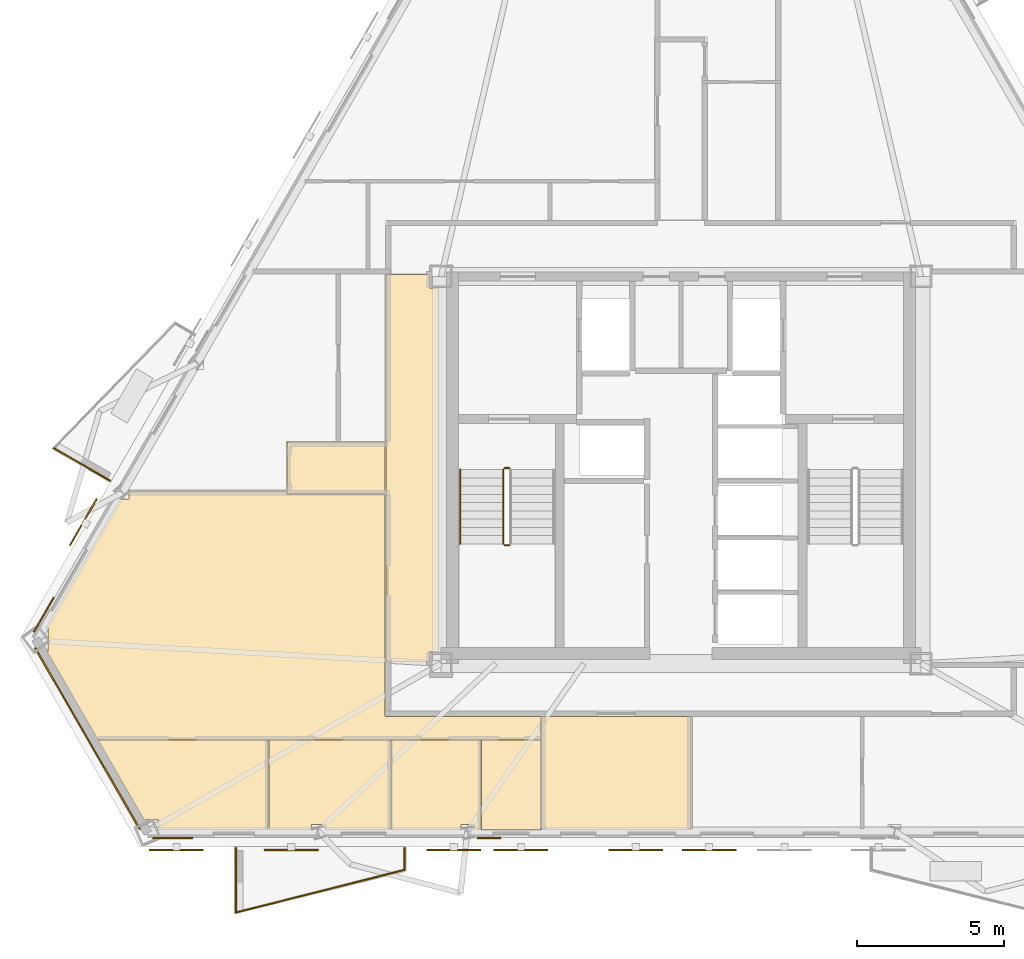
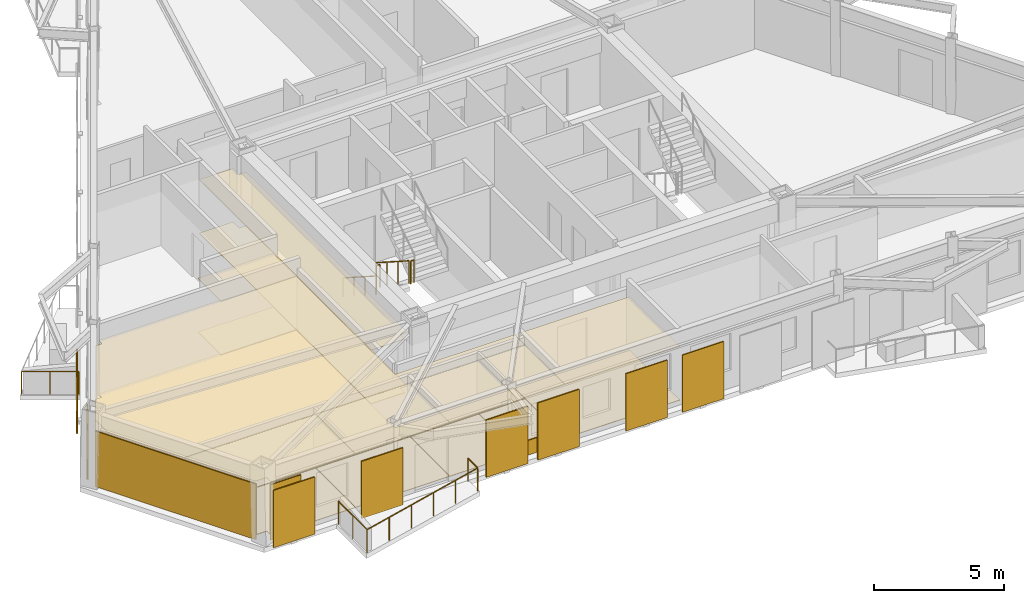
# One storey, part 6 of 8: 20 coverings, 8 railings, 7 shading devices.
"""IFC4 building model written with IfcOpenShell, lengths in metres."""

from ifc_helpers import new_model, si_unit, direction, frame, origin, origin_2d, place, context, subcontext, project, spatial, polyline, rectangle, circle, outline, extrude, material, layer, layer_set, type_object, element, save


model = new_model("IFC4")

# Units and contexts
model_context = context("Model", 3, precision=1e-05, world=origin(), true_north=direction((0.0, 1.0)))
body_context = subcontext(model_context, "Body", "Model", "MODEL_VIEW")
ifc_project = project(units=[si_unit("LENGTHUNIT", "METRE"), si_unit("AREAUNIT", "SQUARE_METRE"), si_unit("VOLUMEUNIT", "CUBIC_METRE"), si_unit("PLANEANGLEUNIT", "RADIAN"), si_unit("MASSUNIT", "GRAM", prefix="KILO")], contexts=[model_context])

# Site, building, storey
site_placement = place(None, origin())
site = spatial("IfcSite", under=ifc_project, at=site_placement, CompositionType="ELEMENT")
building_placement = place(site_placement, origin())
building = spatial("IfcBuilding", under=site, at=building_placement, Name="Oramaril Tower", CompositionType="ELEMENT")
storey_placement = place(building_placement, frame((0.0, 0.0, 193.800048828125)))
storey = spatial("IfcBuildingStorey", under=building, at=storey_placement, Name="L51", CompositionType="ELEMENT", Elevation=193.800048828125)

# Coverings
ifc_material_1 = material(Name="Mineral Fibre Acoustic Ceiling")
ifc_layer_1 = layer(ifc_material_1, 0.02001953125)
ifc_layer_set_1 = layer_set([ifc_layer_1], Name="CVT-CEIL")
covering_type_1 = type_object("IfcCoveringType", Name="CVT-CEIL", PredefinedType="CEILING", material=ifc_layer_set_1)
covering_1_placement = place(storey_placement, frame((0.0, 0.0, 2.511962890625)))
element("IfcCovering", 1, at=covering_1_placement, inside=storey, type_object=covering_type_1, Name="L51 Acoustic Suspended Ceiling 3", PredefinedType="CEILING", context=body_context, shape_type="SweptSolid", body=[
    extrude(outline(polyline([(28.955078125, 23.7548828125), (29.280029296875, 23.7548828125), (29.280029296875, 11.39501953125), (28.955078125, 11.39501953125), (28.955078125, 11.050048828125), (27.469970703125, 11.050048828125), (27.469970703125, 24.219970703125), (28.955078125, 24.219970703125), (28.955078125, 23.7548828125)])), origin(), (0.0, 0.0, 1.0), 0.02001953125),
])
covering_2_placement = place(storey_placement, frame((0.0, 0.0, 2.511962890625)))
element("IfcCovering", 2, at=covering_2_placement, inside=storey, type_object=covering_type_1, Name="L51 Acoustic Suspended Ceiling 5", PredefinedType="CEILING", context=body_context, shape_type="SweptSolid", body=[
    extrude(outline(polyline([(24.1201171875, 16.77001953125), (24.1201171875, 18.530029296875), (27.449951171875, 18.530029296875), (27.449951171875, 16.77001953125), (24.1201171875, 16.77001953125)])), origin(), (0.0, 0.0, 1.0), 0.02001953125),
])
covering_3_placement = place(storey_placement, frame((0.0, 0.0, 2.511962890625)))
element("IfcCovering", 3, at=covering_3_placement, inside=storey, type_object=covering_type_1, Name="L51 Acoustic Suspended Ceiling 6", PredefinedType="CEILING", context=body_context, shape_type="SweptSolid", body=[
    extrude(outline(polyline([(37.842041015625, 5.349609375), (32.758056640625, 5.349609375), (32.758056640625, 9.199951171875), (37.842041015625, 9.199951171875), (37.842041015625, 5.349609375)])), origin(), (0.0, 0.0, 1.0), 0.02001953125),
])
covering_4_placement = place(storey_placement, frame((0.0, 0.0, 2.511962890625)))
element("IfcCovering", 4, at=covering_4_placement, inside=storey, type_object=covering_type_1, Name="L51 Acoustic Suspended Ceiling 9", PredefinedType="CEILING", context=body_context, shape_type="SweptSolid", body=[
    extrude(outline(polyline([(17.672607421875, 8.419677734375), (15.947021484375, 11.40869140625), (15.989501953125, 11.40869140625), (15.989501953125, 12.208984375), (15.912109375, 12.208984375), (18.440185546875, 16.588134765625), (18.742431640625, 16.588134765625), (18.742431640625, 16.842041015625), (24.10009765625, 16.842041015625), (24.10009765625, 16.77001953125), (24.10009765625, 16.76806640625), (24.100341796875, 16.76611328125), (24.100830078125, 16.76416015625), (24.1015625, 16.76220703125), (24.102294921875, 16.760498046875), (24.103515625, 16.7587890625), (24.1044921875, 16.75732421875), (24.10595703125, 16.755859375), (24.107421875, 16.75439453125), (24.10888671875, 16.75341796875), (24.110595703125, 16.75244140625), (24.1123046875, 16.75146484375), (24.1142578125, 16.7509765625), (24.1162109375, 16.75048828125), (24.117919921875, 16.75), (24.1201171875, 16.75), (27.449951171875, 16.75), (27.449951171875, 11.050048828125), (27.4501953125, 11.048095703125), (27.450439453125, 11.046142578125), (27.450927734375, 11.044189453125), (27.451416015625, 11.042236328125), (27.452392578125, 11.04052734375), (27.45263671875, 11.0400390625), (27.452392578125, 11.039306640625), (27.451416015625, 11.03759765625), (27.450927734375, 11.035888671875), (27.450439453125, 11.033935546875), (27.4501953125, 11.031982421875), (27.449951171875, 11.030029296875), (27.449951171875, 9.219970703125), (27.4501953125, 9.218017578125), (27.450439453125, 9.216064453125), (27.450927734375, 9.214111328125), (27.451416015625, 9.21240234375), (27.452392578125, 9.210693359375), (27.453369140625, 9.208984375), (27.45458984375, 9.207275390625), (27.455810546875, 9.205810546875), (27.457275390625, 9.20458984375), (27.458984375, 9.203369140625), (27.460693359375, 9.202392578125), (27.46240234375, 9.201416015625), (27.464111328125, 9.200927734375), (27.466064453125, 9.200439453125), (27.468017578125, 9.2001953125), (27.469970703125, 9.199951171875), (32.738037109375, 9.199951171875), (32.738037109375, 8.419677734375), (17.672607421875, 8.419677734375)])), origin(), (0.0, 0.0, 1.0), 0.02001953125),
])
covering_5_placement = place(storey_placement, frame((0.0, 0.0, 2.511962890625)))
element("IfcCovering", 5, at=covering_5_placement, inside=storey, type_object=covering_type_1, Name="L51 Acoustic Suspended Ceiling 10", PredefinedType="CEILING", context=body_context, shape_type="SweptSolid", body=[
    extrude(outline(polyline([(23.47314453125, 5.349609375), (19.752685546875, 5.349609375), (19.752685546875, 5.681396484375), (19.25341796875, 5.681396484375), (17.68408203125, 8.399658203125), (23.47314453125, 8.399658203125), (23.47314453125, 5.349609375)])), origin(), (0.0, 0.0, 1.0), 0.02001953125),
])
covering_6_placement = place(storey_placement, frame((0.0, 0.0, 2.511962890625)))
element("IfcCovering", 6, at=covering_6_placement, inside=storey, type_object=covering_type_1, Name="L51 Acoustic Suspended Ceiling 11", PredefinedType="CEILING", context=body_context, shape_type="SweptSolid", body=[
    extrude(outline(polyline([(27.647216796875, 5.349609375), (25.399658203125, 5.349609375), (25.399658203125, 5.531005859375), (24.940673828125, 5.531005859375), (24.940673828125, 5.349609375), (23.4931640625, 5.349609375), (23.4931640625, 8.399658203125), (27.647216796875, 8.399658203125), (27.647216796875, 5.349609375)])), origin(), (0.0, 0.0, 1.0), 0.02001953125),
])
covering_7_placement = place(storey_placement, frame((0.0, 0.0, 2.511962890625)))
element("IfcCovering", 7, at=covering_7_placement, inside=storey, type_object=covering_type_1, Name="L51 Acoustic Suspended Ceiling 12", PredefinedType="CEILING", context=body_context, shape_type="SweptSolid", body=[
    extrude(outline(polyline([(30.697265625, 5.349609375), (30.47265625, 5.349609375), (30.47265625, 5.531005859375), (30.021728515625, 5.531005859375), (30.021728515625, 5.349609375), (27.667236328125, 5.349609375), (27.667236328125, 8.399658203125), (30.697265625, 8.399658203125), (30.697265625, 5.349609375)])), origin(), (0.0, 0.0, 1.0), 0.02001953125),
])
covering_8_placement = place(storey_placement, frame((0.0, 0.0, 2.511962890625)))
element("IfcCovering", 8, at=covering_8_placement, inside=storey, type_object=covering_type_1, Name="L51 Acoustic Suspended Ceiling 13", PredefinedType="CEILING", context=body_context, shape_type="SweptSolid", body=[
    extrude(outline(polyline([(30.71728515625, 5.349609375), (30.71728515625, 8.399658203125), (32.738037109375, 8.399658203125), (32.738037109375, 5.349609375), (30.71728515625, 5.349609375)])), origin(), (0.0, 0.0, 1.0), 0.02001953125),
])
ifc_material_2 = material(Name="Warm Cream Limestone", Category="masonry")
ifc_layer_2 = layer(ifc_material_2, 0.050048828125)
ifc_layer_set_2 = layer_set([ifc_layer_2], Name="CVT-CLD")
covering_type_2 = type_object("IfcCoveringType", Name="CVT-CLD", PredefinedType="CLADDING", material=ifc_layer_set_2)
covering_9_placement = place(storey_placement, frame((17.332763671875, 8.456298828125, 0.0400390625), z_axis=(0.0, 0.0, 1.0), x_axis=(0.4999984885, -0.866026276448, 0.0)))
element("IfcCovering", 9, at=covering_9_placement, inside=storey, type_object=covering_type_2, Name="L51 Warm Cream Limestone Cladding", PredefinedType="CLADDING", context=body_context, shape_type="SweptSolid", body=[
    extrude(rectangle(XDim=7.117919921875, YDim=0.050048828125, at=origin_2d()), origin(), (0.0, 0.0, 1.0), 2.596923828125),
])
covering_10_placement = place(storey_placement, frame((20.232666015625, 5.07373046875, 0.0400390625), z_axis=(0.0, 0.0, 1.0), x_axis=(1.0, 0.0, 0.0)))
element("IfcCovering", 10, at=covering_10_placement, inside=storey, type_object=covering_type_2, Name="L51 Warm Cream Limestone Cladding", PredefinedType="CLADDING", context=body_context, shape_type="SweptSolid", body=[
    extrude(rectangle(XDim=1.35009765625, YDim=0.050048828125, at=origin_2d()), origin(), (0.0, 0.0, 1.0), 2.596923828125),
])
covering_11_placement = place(storey_placement, frame((30.977783203125, 5.07373046875, 0.0400390625), z_axis=(0.0, 0.0, 1.0), x_axis=(1.0, 0.0, 0.0)))
element("IfcCovering", 11, at=covering_11_placement, inside=storey, type_object=covering_type_2, Name="L51 Warm Cream Limestone Spandrel Cladding", PredefinedType="CLADDING", context=body_context, shape_type="SweptSolid", body=[
    extrude(rectangle(XDim=0.800048828125, YDim=0.050048828125, at=origin_2d()), origin(), (0.0, 0.0, 1.0), 0.679931640625),
])
covering_12_placement = place(storey_placement, frame((15.853271484375, 12.6591796875, 0.0400390625), z_axis=(0.0, 0.0, 1.0), x_axis=(-0.5, -0.866025403784, 0.0)))
element("IfcCovering", 12, at=covering_12_placement, inside=storey, type_object=covering_type_2, Name="L51 Warm Cream Limestone Cladding", PredefinedType="CLADDING", context=body_context, shape_type="SweptSolid", body=[
    extrude(rectangle(XDim=1.35009765625, YDim=0.050048828125, at=origin_2d()), origin(), (0.0, 0.0, 1.0), 2.596923828125),
])
ifc_material_3 = material(Name="Honed Quartzite Stone Flooring", Category="masonry")
ifc_layer_3 = layer(ifc_material_3, 0.02490234375)
ifc_layer_set_3 = layer_set([ifc_layer_3], Name="CVT-FLR")
covering_type_3 = type_object("IfcCoveringType", Name="CVT-FLR", PredefinedType="FLOORING", material=ifc_layer_set_3)
covering_13_placement = place(storey_placement, origin())
element("IfcCovering", 13, at=covering_13_placement, inside=storey, type_object=covering_type_3, Name="L51 Honed Stone Floor Finish 3", PredefinedType="FLOORING", context=body_context, shape_type="SweptSolid", body=[
    extrude(outline(polyline([(28.955078125, 23.7548828125), (29.280029296875, 23.7548828125), (29.280029296875, 11.39501953125), (28.955078125, 11.39501953125), (28.955078125, 11.050048828125), (27.469970703125, 11.050048828125), (27.469970703125, 24.219970703125), (28.955078125, 24.219970703125), (28.955078125, 23.7548828125)])), origin(), (0.0, 0.0, 1.0), 0.02490234375),
])
covering_14_placement = place(storey_placement, origin())
element("IfcCovering", 14, at=covering_14_placement, inside=storey, type_object=covering_type_3, Name="L51 Honed Stone Floor Finish 5", PredefinedType="FLOORING", context=body_context, shape_type="SweptSolid", body=[
    extrude(outline(polyline([(24.1201171875, 16.77001953125), (24.1201171875, 18.530029296875), (27.449951171875, 18.530029296875), (27.449951171875, 16.77001953125), (24.1201171875, 16.77001953125)])), origin(), (0.0, 0.0, 1.0), 0.02490234375),
])
covering_15_placement = place(storey_placement, origin())
element("IfcCovering", 15, at=covering_15_placement, inside=storey, type_object=covering_type_3, Name="L51 Honed Stone Floor Finish 6", PredefinedType="FLOORING", context=body_context, shape_type="SweptSolid", body=[
    extrude(outline(polyline([(37.842041015625, 5.349609375), (32.758056640625, 5.349609375), (32.758056640625, 9.199951171875), (37.842041015625, 9.199951171875), (37.842041015625, 5.349609375)])), origin(), (0.0, 0.0, 1.0), 0.02490234375),
])
covering_16_placement = place(storey_placement, origin())
element("IfcCovering", 16, at=covering_16_placement, inside=storey, type_object=covering_type_3, Name="L51 Honed Stone Floor Finish 9", PredefinedType="FLOORING", context=body_context, shape_type="SweptSolid", body=[
    extrude(outline(polyline([(17.672607421875, 8.419677734375), (15.947021484375, 11.40869140625), (15.989501953125, 11.40869140625), (15.989501953125, 12.208984375), (15.912109375, 12.208984375), (18.440185546875, 16.588134765625), (18.742431640625, 16.588134765625), (18.742431640625, 16.842041015625), (24.10009765625, 16.842041015625), (24.10009765625, 16.77001953125), (24.10009765625, 16.76806640625), (24.100341796875, 16.76611328125), (24.100830078125, 16.76416015625), (24.1015625, 16.76220703125), (24.102294921875, 16.760498046875), (24.103515625, 16.7587890625), (24.1044921875, 16.75732421875), (24.10595703125, 16.755859375), (24.107421875, 16.75439453125), (24.10888671875, 16.75341796875), (24.110595703125, 16.75244140625), (24.1123046875, 16.75146484375), (24.1142578125, 16.7509765625), (24.1162109375, 16.75048828125), (24.117919921875, 16.75), (24.1201171875, 16.75), (27.449951171875, 16.75), (27.449951171875, 11.050048828125), (27.4501953125, 11.048095703125), (27.450439453125, 11.046142578125), (27.450927734375, 11.044189453125), (27.451416015625, 11.042236328125), (27.452392578125, 11.04052734375), (27.45263671875, 11.0400390625), (27.452392578125, 11.039306640625), (27.451416015625, 11.03759765625), (27.450927734375, 11.035888671875), (27.450439453125, 11.033935546875), (27.4501953125, 11.031982421875), (27.449951171875, 11.030029296875), (27.449951171875, 9.219970703125), (27.4501953125, 9.218017578125), (27.450439453125, 9.216064453125), (27.450927734375, 9.214111328125), (27.451416015625, 9.21240234375), (27.452392578125, 9.210693359375), (27.453369140625, 9.208984375), (27.45458984375, 9.207275390625), (27.455810546875, 9.205810546875), (27.457275390625, 9.20458984375), (27.458984375, 9.203369140625), (27.460693359375, 9.202392578125), (27.46240234375, 9.201416015625), (27.464111328125, 9.200927734375), (27.466064453125, 9.200439453125), (27.468017578125, 9.2001953125), (27.469970703125, 9.199951171875), (32.738037109375, 9.199951171875), (32.738037109375, 8.419677734375), (17.672607421875, 8.419677734375)])), origin(), (0.0, 0.0, 1.0), 0.02490234375),
])
covering_17_placement = place(storey_placement, origin())
element("IfcCovering", 17, at=covering_17_placement, inside=storey, type_object=covering_type_3, Name="L51 Honed Stone Floor Finish 10", PredefinedType="FLOORING", context=body_context, shape_type="SweptSolid", body=[
    extrude(outline(polyline([(23.47314453125, 5.349609375), (19.752685546875, 5.349609375), (19.752685546875, 5.681396484375), (19.25341796875, 5.681396484375), (17.68408203125, 8.399658203125), (23.47314453125, 8.399658203125), (23.47314453125, 5.349609375)])), origin(), (0.0, 0.0, 1.0), 0.02490234375),
])
covering_18_placement = place(storey_placement, origin())
element("IfcCovering", 18, at=covering_18_placement, inside=storey, type_object=covering_type_3, Name="L51 Honed Stone Floor Finish 11", PredefinedType="FLOORING", context=body_context, shape_type="SweptSolid", body=[
    extrude(outline(polyline([(27.647216796875, 5.349609375), (25.399658203125, 5.349609375), (25.399658203125, 5.531005859375), (24.940673828125, 5.531005859375), (24.940673828125, 5.349609375), (23.4931640625, 5.349609375), (23.4931640625, 8.399658203125), (27.647216796875, 8.399658203125), (27.647216796875, 5.349609375)])), origin(), (0.0, 0.0, 1.0), 0.02490234375),
])
covering_19_placement = place(storey_placement, origin())
element("IfcCovering", 19, at=covering_19_placement, inside=storey, type_object=covering_type_3, Name="L51 Honed Stone Floor Finish 12", PredefinedType="FLOORING", context=body_context, shape_type="SweptSolid", body=[
    extrude(outline(polyline([(30.697265625, 5.349609375), (30.47265625, 5.349609375), (30.47265625, 5.531005859375), (30.021728515625, 5.531005859375), (30.021728515625, 5.349609375), (27.667236328125, 5.349609375), (27.667236328125, 8.399658203125), (30.697265625, 8.399658203125), (30.697265625, 5.349609375)])), origin(), (0.0, 0.0, 1.0), 0.02490234375),
])
covering_20_placement = place(storey_placement, origin())
element("IfcCovering", 20, at=covering_20_placement, inside=storey, type_object=covering_type_3, Name="L51 Honed Stone Floor Finish 13", PredefinedType="FLOORING", context=body_context, shape_type="SweptSolid", body=[
    extrude(outline(polyline([(30.71728515625, 5.349609375), (30.71728515625, 8.399658203125), (32.738037109375, 8.399658203125), (32.738037109375, 5.349609375), (30.71728515625, 5.349609375)])), origin(), (0.0, 0.0, 1.0), 0.02490234375),
])

# Railings
ifc_material_4 = material(Name="Stainless Steel 316L", Category="steel")
railing_type_1 = type_object("IfcRailingType", Name="RLT-GRD", PredefinedType="GUARDRAIL", material=ifc_material_4)
railing_1_placement = place(storey_placement, frame((28.107177734375, 4.733642578125, 0.0)))
element("IfcRailing", 21, at=railing_1_placement, inside=storey, type_object=railing_type_1, Name="L51 Balcony Guardrail L51-BAL-S1.1", PredefinedType="GUARDRAIL", context=body_context, shape_type="SweptSolid", body=[
    extrude(circle(Radius=0.02392578125, at=origin_2d()), frame((0.0, 0.0, 1.076171875), z_axis=(0.0, -1.0, 0.0), x_axis=(1.0, 0.0, 0.0)), (0.0, 0.0, 1.0), 0.741943359375),
    extrude(circle(Radius=0.02099609375, at=origin_2d()), origin(), (0.0, 0.0, 1.0), 1.052001953125),
    extrude(circle(Radius=0.02099609375, at=origin_2d()), frame((0.0, -0.741943359375, 0.0)), (0.0, 0.0, 1.0), 1.052001953125),
])
railing_2_placement = place(storey_placement, frame((28.107177734375, 3.99169921875, 0.0)))
element("IfcRailing", 22, at=railing_2_placement, inside=storey, type_object=railing_type_1, Name="L51 Balcony Guardrail L51-BAL-S1.2", PredefinedType="GUARDRAIL", context=body_context, shape_type="SweptSolid", body=[
    extrude(circle(Radius=0.02392578125, at=origin_2d()), frame((0.0, 0.0, 1.076171875), z_axis=(-0.969443611257, -0.245314256807, 0.0), x_axis=(0.245314256807, -0.969443611257, 0.0)), (0.0, 0.0, 1.0), 5.91064453125),
    extrude(circle(Radius=0.02099609375, at=origin_2d()), origin(), (0.0, 0.0, 1.0), 1.052001953125),
    extrude(circle(Radius=0.02099609375, at=origin_2d()), frame((-1.14599609375, -0.2900390625, 0.0)), (0.0, 0.0, 1.0), 1.052001953125),
    extrude(circle(Radius=0.02099609375, at=origin_2d()), frame((-2.2919921875, -0.580078125, 0.0)), (0.0, 0.0, 1.0), 1.052001953125),
    extrude(circle(Radius=0.02099609375, at=origin_2d()), frame((-3.43798828125, -0.869873046875, 0.0)), (0.0, 0.0, 1.0), 1.052001953125),
    extrude(circle(Radius=0.02099609375, at=origin_2d()), frame((-4.583984375, -1.159912109375, 0.0)), (0.0, 0.0, 1.0), 1.052001953125),
    extrude(circle(Radius=0.02099609375, at=origin_2d()), frame((-5.72998046875, -1.449951171875, 0.0)), (0.0, 0.0, 1.0), 1.052001953125),
])
railing_3_placement = place(storey_placement, frame((22.377197265625, 2.541748046875, 0.0)))
element("IfcRailing", 23, at=railing_3_placement, inside=storey, type_object=railing_type_1, Name="L51 Balcony Guardrail L51-BAL-S1.3", PredefinedType="GUARDRAIL", context=body_context, shape_type="SweptSolid", body=[
    extrude(circle(Radius=0.02392578125, at=origin_2d()), frame((0.0, 0.0, 1.076171875), z_axis=(0.0, 1.0, 0.0), x_axis=(-1.0, 0.0, 0.0)), (0.0, 0.0, 1.0), 2.19189453125),
    extrude(circle(Radius=0.02099609375, at=origin_2d()), origin(), (0.0, 0.0, 1.0), 1.052001953125),
    extrude(circle(Radius=0.02099609375, at=origin_2d()), frame((0.0, 1.095947265625, 0.0)), (0.0, 0.0, 1.0), 1.052001953125),
    extrude(circle(Radius=0.02099609375, at=origin_2d()), frame((0.0, 2.19189453125, 0.0)), (0.0, 0.0, 1.0), 1.052001953125),
])
railing_4_placement = place(storey_placement, frame((18.093505859375, 17.219482421875, 0.0)))
element("IfcRailing", 24, at=railing_4_placement, inside=storey, type_object=railing_type_1, Name="L51 Balcony Guardrail L51-BAL-NW2.1", PredefinedType="GUARDRAIL", context=body_context, shape_type="SweptSolid", body=[
    extrude(circle(Radius=0.02392578125, at=origin_2d()), frame((0.0, 0.0, 1.076171875), z_axis=(-0.866048343933, 0.499960264392, 0.0), x_axis=(-0.499960264392, -0.866048343933, 0.0)), (0.0, 0.0, 1.0), 2.192138671875),
    extrude(circle(Radius=0.02099609375, at=origin_2d()), origin(), (0.0, 0.0, 1.0), 1.052001953125),
    extrude(circle(Radius=0.02099609375, at=origin_2d()), frame((-0.94921875, 0.5478515625, 0.0)), (0.0, 0.0, 1.0), 1.052001953125),
    extrude(circle(Radius=0.02099609375, at=origin_2d()), frame((-1.8984375, 1.095947265625, 0.0)), (0.0, 0.0, 1.0), 1.052001953125),
])
railing_5_placement = place(storey_placement, frame((31.4599609375, 17.590087890625, 0.179931640625)))
element("IfcRailing", 25, at=railing_5_placement, inside=storey, type_object=railing_type_1, Name="L51 ST-1 stair guard 1", PredefinedType="GUARDRAIL", context=body_context, shape_type="SweptSolid", body=[
    extrude(circle(Radius=0.02392578125, at=origin_2d()), frame((0.0, 0.0, 1.076171875), z_axis=(0.0, -0.841162588446, 0.540782303519), x_axis=(1.0, 0.0, 0.0)), (0.0, 0.0, 1.0), 2.995849609375),
    extrude(circle(Radius=0.02099609375, at=origin_2d()), origin(), (0.0, 0.0, 1.0), 1.052001953125),
    extrude(circle(Radius=0.02099609375, at=origin_2d()), frame((0.0, -0.840087890625, 0.5400390625)), (0.0, 0.0, 1.0), 1.052001953125),
    extrude(circle(Radius=0.02099609375, at=origin_2d()), frame((0.0, -1.679931640625, 1.080078125)), (0.0, 0.0, 1.0), 1.052001953125),
    extrude(circle(Radius=0.02099609375, at=origin_2d()), frame((0.0, -2.52001953125, 1.6201171875)), (0.0, 0.0, 1.0), 1.052001953125),
])
for number, where, name in (
    (26, (31.510009765625, 15.02001953125, 1.800048828125), "L51 ST-1 stair guard 2"),
    (27, (31.510009765625, 17.639892578125, 0.0), "L51 ST-1 stair guard 4"),
):
    element("IfcRailing", number, at=place(storey_placement, frame(where)), inside=storey, type_object=railing_type_1, Name=name, PredefinedType="GUARDRAIL", context=body_context, shape_type="SweptSolid", body=[
        extrude(circle(Radius=0.02392578125, at=origin_2d()), frame((0.0, 0.0, 1.076171875), z_axis=(1.0, 0.0, 0.0), x_axis=(0.0, 1.0, 0.0)), (0.0, 0.0, 1.0), 0.14990234375),
        extrude(circle(Radius=0.02099609375, at=origin_2d()), origin(), (0.0, 0.0, 1.0), 1.052001953125),
        extrude(circle(Radius=0.02099609375, at=origin_2d()), frame((0.14990234375, 0.0, 0.0)), (0.0, 0.0, 1.0), 1.052001953125),
    ])
ifc_material_5 = material(Name="Stainless Steel 316L", Category="steel")
railing_type_2 = type_object("IfcRailingType", Name="RLT-HND", PredefinedType="HANDRAIL", material=ifc_material_5)
railing_6_placement = place(storey_placement, frame((30.0, 17.590087890625, 0.179931640625)))
element("IfcRailing", 28, at=railing_6_placement, inside=storey, type_object=railing_type_2, Name="L51 ST-1 stair handrail 1", PredefinedType="HANDRAIL", context=body_context, shape_type="SweptSolid", body=[
    extrude(circle(Radius=0.02392578125, at=origin_2d()), frame((0.0, 0.0, 0.8759765625), z_axis=(0.0, -0.841162588446, 0.540782303519), x_axis=(1.0, 0.0, 0.0)), (0.0, 0.0, 1.0), 2.995849609375),
    extrude(circle(Radius=0.02099609375, at=origin_2d()), origin(), (0.0, 0.0, 1.0), 0.851806640625),
    extrude(circle(Radius=0.02099609375, at=origin_2d()), frame((0.0, -0.840087890625, 0.5400390625)), (0.0, 0.0, 1.0), 0.851806640625),
    extrude(circle(Radius=0.02099609375, at=origin_2d()), frame((0.0, -1.679931640625, 1.080078125)), (0.0, 0.0, 1.0), 0.851806640625),
    extrude(circle(Radius=0.02099609375, at=origin_2d()), frame((0.0, -2.52001953125, 1.6201171875)), (0.0, 0.0, 1.0), 0.851806640625),
])

# Shading devices
for number, where, z_axis, x_axis, name in (
    (29, (32.0595703125, 4.66162109375, -0.02001953125), (0.0, 0.0, 1.0), (1.0, 0.0, 0.0), "L51 Perforated Ceramic Solar Screen"),
    (30, (35.959716796875, 4.66162109375, -0.02001953125), (0.0, 0.0, 1.0), (1.0, 0.0, 0.0), "L51 Perforated Ceramic Solar Screen"),
    (31, (38.455078125, 4.66162109375, -0.02001953125), (0.0, 0.0, 1.0), (1.0, 0.0, 0.0), "L51 Perforated Ceramic Solar Screen"),
    (32, (20.35791015625, 4.66162109375, -0.02001953125), (0.0, 0.0, 1.0), (1.0, 0.0, 0.0), "L51 Perforated Ceramic Solar Screen"),
    (33, (24.258056640625, 4.66162109375, -0.02001953125), (0.0, 0.0, 1.0), (1.0, 0.0, 0.0), "L51 Perforated Ceramic Solar Screen"),
    (34, (29.777587890625, 4.66162109375, -0.02001953125), (0.0, 0.0, 1.0), (1.0, 0.0, 0.0), "L51 Perforated Ceramic Solar Screen"),
    (35, (17.194091796875, 15.8056640625, -0.02001953125), (0.0, 0.0, 1.0), (-0.5, -0.866025403784, 0.0), "L51 Perforated Ceramic Solar Screen"),
):
    element("IfcShadingDevice", number, at=place(storey_placement, frame(where, z_axis=z_axis, x_axis=x_axis)), inside=storey, Name=name, ObjectType="SCREEN", PredefinedType="USERDEFINED", context=body_context, shape_type="SweptSolid", body=[
        extrude(rectangle(XDim=1.8330078125, YDim=0.050048828125, at=origin_2d()), origin(), (0.0, 0.0, 1.0), 2.677001953125),
    ])

save(model, "model.ifc")
